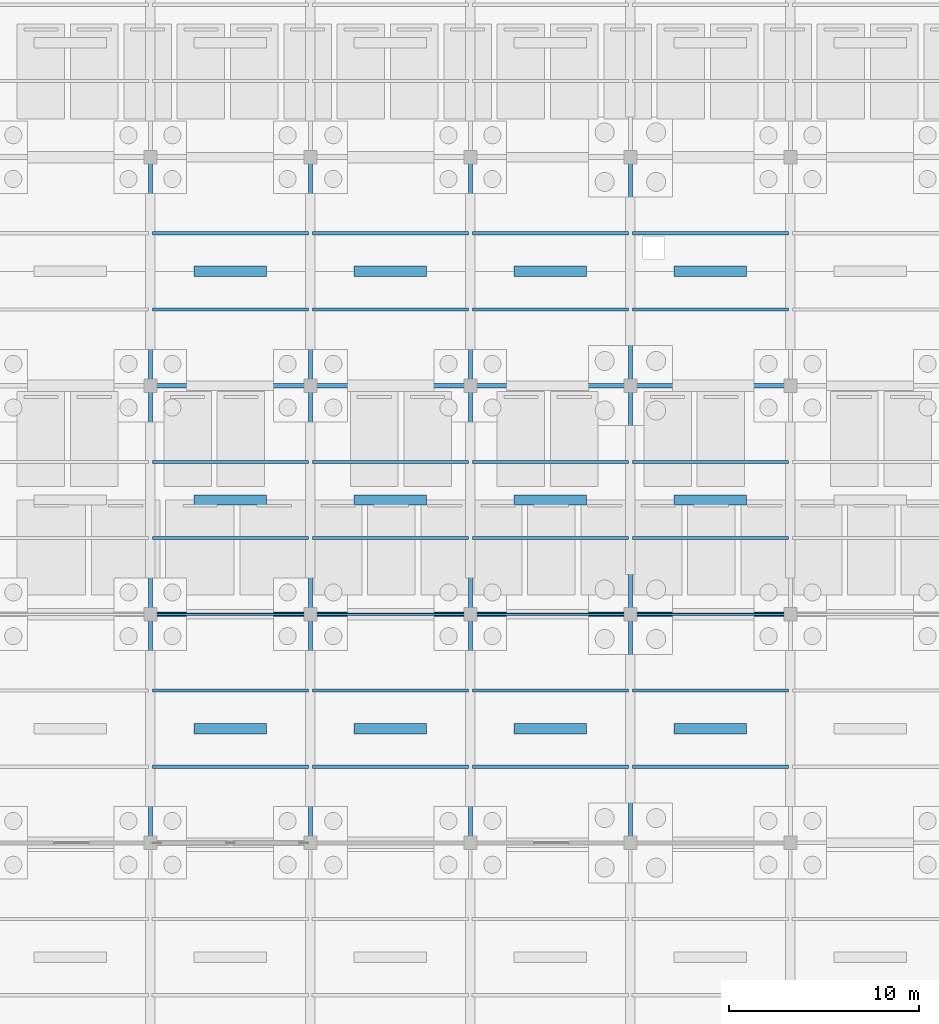
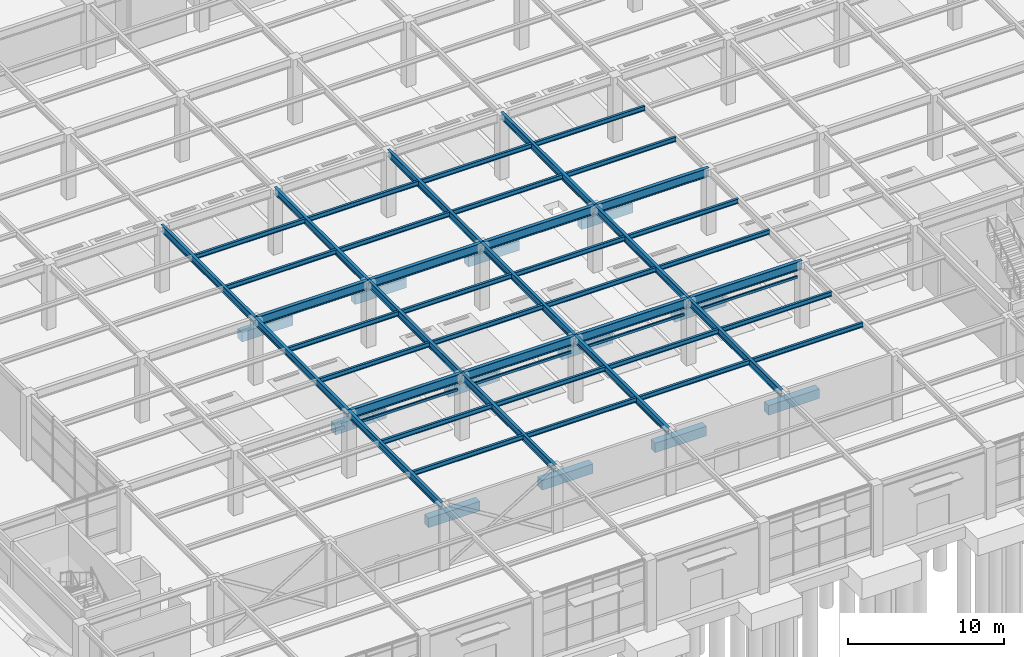
# One storey, part 51 of 129: 60 beams.
"""IFC4 building model written with IfcOpenShell, lengths in metres."""

from ifc_helpers import new_model, si_unit, direction, frame, origin, origin_2d, place, context, subcontext, project, spatial, rectangle, hollow_rectangle, i_section, extrude, material, material_profile, profile_set, type_object, element, save


model = new_model("IFC4")

# Units and contexts
model_context = context("Model", 3, precision=1e-05, world=origin(), true_north=direction((0.0, 1.0)))
body_context = subcontext(model_context, "Body", "Model", "MODEL_VIEW")
ifc_project = project(units=[si_unit("LENGTHUNIT", "METRE"), si_unit("AREAUNIT", "SQUARE_METRE"), si_unit("VOLUMEUNIT", "CUBIC_METRE"), si_unit("PLANEANGLEUNIT", "RADIAN"), si_unit("MASSUNIT", "GRAM", prefix="KILO")], contexts=[model_context])

# Site, building, storey
site_placement = place(None, origin())
site = spatial("IfcSite", under=ifc_project, at=site_placement, CompositionType="ELEMENT")
building_placement = place(site_placement, origin())
building = spatial("IfcBuilding", under=site, at=building_placement, Name="Sitalva Quay Ferry Terminal", CompositionType="ELEMENT")
storey_placement = place(building_placement, origin())
storey = spatial("IfcBuildingStorey", under=building, at=storey_placement, Name="L01", CompositionType="ELEMENT", Elevation=0.0)

# Beams
ifc_material_1 = material(Name="Structural Steel S355JR", Category="steel")
ifc_material_profile_1 = material_profile(ifc_material_1, i_section(OverallWidth=0.2119140625, OverallDepth=0.5439453125, WebThickness=0.01318359375, FlangeThickness=0.021240234375, FilletRadius=0.014892578125, at=origin_2d()), Name="W530x123")
ifc_profile_set_1 = profile_set([ifc_material_profile_1], Name="Structural Steel S355JR")
beam_type_1 = type_object("IfcBeamType", Name="Girder_W530x123", PredefinedType="USERDEFINED", material=ifc_profile_set_1)
for number, where, z_axis, x_axis, name in (
    (1, (100.800048828125, 18.0, 4.80810546875), (0.0, 1.0, 0.0), (-1.0, 0.0, 0.0), "L01 Primary Y girder 0295"),
    (2, (100.800048828125, 30.0, 4.80810546875), (0.0, 1.0, 0.0), (-1.0, 0.0, 0.0), "L01 Primary Y girder 0296"),
    (3, (100.800048828125, 42.0, 4.80810546875), (0.0, 1.0, 0.0), (-1.0, 0.0, 0.0), "L01 Primary Y girder 0297"),
    (4, (109.199951171875, 18.0, 4.80810546875), (0.0, 1.0, 0.0), (-1.0, 0.0, 0.0), "L01 Primary Y girder 0300"),
    (5, (109.199951171875, 30.0, 4.80810546875), (0.0, 1.0, 0.0), (-1.0, 0.0, 0.0), "L01 Primary Y girder 0301"),
    (6, (109.199951171875, 42.0, 4.80810546875), (0.0, 1.0, 0.0), (-1.0, 0.0, 0.0), "L01 Primary Y girder 0302"),
    (7, (117.60009765625, 18.0, 4.80810546875), (0.0, 1.0, 0.0), (-1.0, 0.0, 0.0), "L01 Primary Y girder 0305"),
    (8, (117.60009765625, 30.0, 4.80810546875), (0.0, 1.0, 0.0), (-1.0, 0.0, 0.0), "L01 Primary Y girder 0306"),
    (9, (117.60009765625, 42.0, 4.80810546875), (0.0, 1.0, 0.0), (-1.0, 0.0, 0.0), "L01 Primary Y girder 0307"),
    (10, (126.0, 18.0, 4.80810546875), (0.0, 1.0, 0.0), (-1.0, 0.0, 0.0), "L01 Primary Y girder 0310"),
    (11, (126.0, 30.0, 4.80810546875), (0.0, 1.0, 0.0), (-1.0, 0.0, 0.0), "L01 Primary Y girder 0311"),
    (12, (126.0, 42.0, 4.80810546875), (0.0, 1.0, 0.0), (-1.0, 0.0, 0.0), "L01 Primary Y girder 0312"),
):
    element("IfcBeam", number, at=place(storey_placement, frame(where, z_axis=z_axis, x_axis=x_axis)), inside=storey, type_object=beam_type_1, Name=name, ObjectType="GIRDER", PredefinedType="USERDEFINED", context=body_context, shape_type="SweptSolid", body=[
        extrude(i_section(OverallWidth=0.2119140625, OverallDepth=0.5439453125, WebThickness=0.01318359375, FlangeThickness=0.021240234375, FilletRadius=0.014892578125, at=origin_2d()), origin(), (0.0, 0.0, 1.0), 12.0),
    ])
ifc_material_2 = material(Name="Structural Steel S355JR", Category="steel")
ifc_material_profile_2 = material_profile(ifc_material_2, i_section(OverallWidth=0.256103515625, OverallDepth=0.693115234375, WebThickness=0.014404296875, FlangeThickness=0.023681640625, FilletRadius=0.01806640625, at=origin_2d()), Name="W690x170")
ifc_profile_set_2 = profile_set([ifc_material_profile_2], Name="Structural Steel S355JR")
beam_type_2 = type_object("IfcBeamType", Name="Girder_W690x170", PredefinedType="USERDEFINED", material=ifc_profile_set_2)
beam_1_placement = place(storey_placement, frame((100.800048828125, 30.0, 4.7333984375), z_axis=(1.0, 0.0, 0.0), x_axis=(0.0, 1.0, 0.0)))
element("IfcBeam", 13, at=beam_1_placement, inside=storey, type_object=beam_type_2, Name="L01 Primary X girder 0239", ObjectType="GIRDER", PredefinedType="USERDEFINED", context=body_context, shape_type="SweptSolid", body=[
    extrude(i_section(OverallWidth=0.256103515625, OverallDepth=0.693115234375, WebThickness=0.014404296875, FlangeThickness=0.023681640625, FilletRadius=0.01806640625, at=origin_2d()), origin(), (0.0, 0.0, 1.0), 8.39990234375),
])
beam_2_placement = place(storey_placement, frame((109.199951171875, 30.0, 4.7333984375), z_axis=(1.0, 0.0, 0.0), x_axis=(0.0, 1.0, 0.0)))
element("IfcBeam", 14, at=beam_2_placement, inside=storey, type_object=beam_type_2, Name="L01 Primary X girder 0240", ObjectType="GIRDER", PredefinedType="USERDEFINED", context=body_context, shape_type="SweptSolid", body=[
    extrude(i_section(OverallWidth=0.256103515625, OverallDepth=0.693115234375, WebThickness=0.014404296875, FlangeThickness=0.023681640625, FilletRadius=0.01806640625, at=origin_2d()), origin(), (0.0, 0.0, 1.0), 8.400146484375),
])
for number, where, z_axis, x_axis, name in (
    (15, (117.60009765625, 30.0, 4.7333984375), (1.0, 0.0, 0.0), (0.0, 1.0, 0.0), "L01 Primary X girder 0241"),
    (16, (126.0, 30.0, 4.7333984375), (1.0, 0.0, 0.0), (0.0, 1.0, 0.0), "L01 Primary X girder 0242"),
    (17, (100.800048828125, 42.0, 4.7333984375), (1.0, 0.0, 0.0), (0.0, 1.0, 0.0), "L01 Primary X girder 0249"),
):
    element("IfcBeam", number, at=place(storey_placement, frame(where, z_axis=z_axis, x_axis=x_axis)), inside=storey, type_object=beam_type_2, Name=name, ObjectType="GIRDER", PredefinedType="USERDEFINED", context=body_context, shape_type="SweptSolid", body=[
        extrude(i_section(OverallWidth=0.256103515625, OverallDepth=0.693115234375, WebThickness=0.014404296875, FlangeThickness=0.023681640625, FilletRadius=0.01806640625, at=origin_2d()), origin(), (0.0, 0.0, 1.0), 8.39990234375),
    ])
beam_3_placement = place(storey_placement, frame((109.199951171875, 42.0, 4.7333984375), z_axis=(1.0, 0.0, 0.0), x_axis=(0.0, 1.0, 0.0)))
element("IfcBeam", 18, at=beam_3_placement, inside=storey, type_object=beam_type_2, Name="L01 Primary X girder 0250", ObjectType="GIRDER", PredefinedType="USERDEFINED", context=body_context, shape_type="SweptSolid", body=[
    extrude(i_section(OverallWidth=0.256103515625, OverallDepth=0.693115234375, WebThickness=0.014404296875, FlangeThickness=0.023681640625, FilletRadius=0.01806640625, at=origin_2d()), origin(), (0.0, 0.0, 1.0), 8.400146484375),
])
for number, where, z_axis, x_axis, name in (
    (19, (117.60009765625, 42.0, 4.7333984375), (1.0, 0.0, 0.0), (0.0, 1.0, 0.0), "L01 Primary X girder 0251"),
    (20, (126.0, 42.0, 4.7333984375), (1.0, 0.0, 0.0), (0.0, 1.0, 0.0), "L01 Primary X girder 0252"),
):
    element("IfcBeam", number, at=place(storey_placement, frame(where, z_axis=z_axis, x_axis=x_axis)), inside=storey, type_object=beam_type_2, Name=name, ObjectType="GIRDER", PredefinedType="USERDEFINED", context=body_context, shape_type="SweptSolid", body=[
        extrude(i_section(OverallWidth=0.256103515625, OverallDepth=0.693115234375, WebThickness=0.014404296875, FlangeThickness=0.023681640625, FilletRadius=0.01806640625, at=origin_2d()), origin(), (0.0, 0.0, 1.0), 8.39990234375),
    ])
ifc_material_3 = material(Name="Structural Steel S355JR", Category="steel")
ifc_material_profile_3 = material_profile(ifc_material_3, i_section(OverallWidth=0.172119140625, OverallDepth=0.35791015625, WebThickness=0.0078125, FlangeThickness=0.01318359375, FilletRadius=0.011962890625, at=origin_2d()), Name="W360x57")
ifc_profile_set_3 = profile_set([ifc_material_profile_3], Name="Structural Steel S355JR")
beam_type_3 = type_object("IfcBeamType", Name="Joist_W360x57", PredefinedType="JOIST", material=ifc_profile_set_3)
beam_4_placement = place(storey_placement, frame((100.89990234375, 22.0, 4.90087890625), z_axis=(1.0, 0.0, 0.0), x_axis=(0.0, 1.0, 0.0)))
element("IfcBeam", 21, at=beam_4_placement, inside=storey, type_object=beam_type_3, Name="L01 Secondary joist 0342", PredefinedType="JOIST", context=body_context, shape_type="SweptSolid", body=[
    extrude(i_section(OverallWidth=0.172119140625, OverallDepth=0.35791015625, WebThickness=0.0078125, FlangeThickness=0.01318359375, FilletRadius=0.011962890625, at=origin_2d()), origin(), (0.0, 0.0, 1.0), 8.2001953125),
])
for number, where, z_axis, x_axis, name in (
    (22, (109.300048828125, 22.0, 4.90087890625), (1.0, 0.0, 0.0), (0.0, 1.0, 0.0), "L01 Secondary joist 0343"),
    (23, (117.699951171875, 22.0, 4.90087890625), (1.0, 0.0, 0.0), (0.0, 1.0, 0.0), "L01 Secondary joist 0344"),
    (24, (126.10009765625, 22.0, 4.90087890625), (1.0, 0.0, 0.0), (0.0, 1.0, 0.0), "L01 Secondary joist 0345"),
):
    element("IfcBeam", number, at=place(storey_placement, frame(where, z_axis=z_axis, x_axis=x_axis)), inside=storey, type_object=beam_type_3, Name=name, PredefinedType="JOIST", context=body_context, shape_type="SweptSolid", body=[
        extrude(i_section(OverallWidth=0.172119140625, OverallDepth=0.35791015625, WebThickness=0.0078125, FlangeThickness=0.01318359375, FilletRadius=0.011962890625, at=origin_2d()), origin(), (0.0, 0.0, 1.0), 8.199951171875),
    ])
beam_5_placement = place(storey_placement, frame((100.89990234375, 26.0, 4.90087890625), z_axis=(1.0, 0.0, 0.0), x_axis=(0.0, 1.0, 0.0)))
element("IfcBeam", 25, at=beam_5_placement, inside=storey, type_object=beam_type_3, Name="L01 Secondary joist 0351", PredefinedType="JOIST", context=body_context, shape_type="SweptSolid", body=[
    extrude(i_section(OverallWidth=0.172119140625, OverallDepth=0.35791015625, WebThickness=0.0078125, FlangeThickness=0.01318359375, FilletRadius=0.011962890625, at=origin_2d()), origin(), (0.0, 0.0, 1.0), 8.2001953125),
])
for number, where, z_axis, x_axis, name in (
    (26, (109.300048828125, 26.0, 4.90087890625), (1.0, 0.0, 0.0), (0.0, 1.0, 0.0), "L01 Secondary joist 0352"),
    (27, (117.699951171875, 26.0, 4.90087890625), (1.0, 0.0, 0.0), (0.0, 1.0, 0.0), "L01 Secondary joist 0353"),
    (28, (126.10009765625, 26.0, 4.90087890625), (1.0, 0.0, 0.0), (0.0, 1.0, 0.0), "L01 Secondary joist 0354"),
):
    element("IfcBeam", number, at=place(storey_placement, frame(where, z_axis=z_axis, x_axis=x_axis)), inside=storey, type_object=beam_type_3, Name=name, PredefinedType="JOIST", context=body_context, shape_type="SweptSolid", body=[
        extrude(i_section(OverallWidth=0.172119140625, OverallDepth=0.35791015625, WebThickness=0.0078125, FlangeThickness=0.01318359375, FilletRadius=0.011962890625, at=origin_2d()), origin(), (0.0, 0.0, 1.0), 8.199951171875),
    ])
beam_6_placement = place(storey_placement, frame((100.89990234375, 34.0, 4.90087890625), z_axis=(1.0, 0.0, 0.0), x_axis=(0.0, 1.0, 0.0)))
element("IfcBeam", 29, at=beam_6_placement, inside=storey, type_object=beam_type_3, Name="L01 Secondary joist 0360", PredefinedType="JOIST", context=body_context, shape_type="SweptSolid", body=[
    extrude(i_section(OverallWidth=0.172119140625, OverallDepth=0.35791015625, WebThickness=0.0078125, FlangeThickness=0.01318359375, FilletRadius=0.011962890625, at=origin_2d()), origin(), (0.0, 0.0, 1.0), 8.2001953125),
])
for number, where, z_axis, x_axis, name in (
    (30, (109.300048828125, 34.0, 4.90087890625), (1.0, 0.0, 0.0), (0.0, 1.0, 0.0), "L01 Secondary joist 0361"),
    (31, (117.699951171875, 34.0, 4.90087890625), (1.0, 0.0, 0.0), (0.0, 1.0, 0.0), "L01 Secondary joist 0362"),
    (32, (126.10009765625, 34.0, 4.90087890625), (1.0, 0.0, 0.0), (0.0, 1.0, 0.0), "L01 Secondary joist 0363"),
):
    element("IfcBeam", number, at=place(storey_placement, frame(where, z_axis=z_axis, x_axis=x_axis)), inside=storey, type_object=beam_type_3, Name=name, PredefinedType="JOIST", context=body_context, shape_type="SweptSolid", body=[
        extrude(i_section(OverallWidth=0.172119140625, OverallDepth=0.35791015625, WebThickness=0.0078125, FlangeThickness=0.01318359375, FilletRadius=0.011962890625, at=origin_2d()), origin(), (0.0, 0.0, 1.0), 8.199951171875),
    ])
beam_7_placement = place(storey_placement, frame((100.89990234375, 38.0, 4.90087890625), z_axis=(1.0, 0.0, 0.0), x_axis=(0.0, 1.0, 0.0)))
element("IfcBeam", 33, at=beam_7_placement, inside=storey, type_object=beam_type_3, Name="L01 Secondary joist 0370", PredefinedType="JOIST", context=body_context, shape_type="SweptSolid", body=[
    extrude(i_section(OverallWidth=0.172119140625, OverallDepth=0.35791015625, WebThickness=0.0078125, FlangeThickness=0.01318359375, FilletRadius=0.011962890625, at=origin_2d()), origin(), (0.0, 0.0, 1.0), 8.2001953125),
])
for number, where, z_axis, x_axis, name in (
    (34, (109.300048828125, 38.0, 4.90087890625), (1.0, 0.0, 0.0), (0.0, 1.0, 0.0), "L01 Secondary joist 0371"),
    (35, (117.699951171875, 38.0, 4.90087890625), (1.0, 0.0, 0.0), (0.0, 1.0, 0.0), "L01 Secondary joist 0372"),
    (36, (126.10009765625, 38.0, 4.90087890625), (1.0, 0.0, 0.0), (0.0, 1.0, 0.0), "L01 Secondary joist 0373"),
):
    element("IfcBeam", number, at=place(storey_placement, frame(where, z_axis=z_axis, x_axis=x_axis)), inside=storey, type_object=beam_type_3, Name=name, PredefinedType="JOIST", context=body_context, shape_type="SweptSolid", body=[
        extrude(i_section(OverallWidth=0.172119140625, OverallDepth=0.35791015625, WebThickness=0.0078125, FlangeThickness=0.01318359375, FilletRadius=0.011962890625, at=origin_2d()), origin(), (0.0, 0.0, 1.0), 8.199951171875),
    ])
beam_8_placement = place(storey_placement, frame((100.89990234375, 46.0, 4.90087890625), z_axis=(1.0, 0.0, 0.0), x_axis=(0.0, 1.0, 0.0)))
element("IfcBeam", 37, at=beam_8_placement, inside=storey, type_object=beam_type_3, Name="L01 Secondary joist 0380", PredefinedType="JOIST", context=body_context, shape_type="SweptSolid", body=[
    extrude(i_section(OverallWidth=0.172119140625, OverallDepth=0.35791015625, WebThickness=0.0078125, FlangeThickness=0.01318359375, FilletRadius=0.011962890625, at=origin_2d()), origin(), (0.0, 0.0, 1.0), 8.2001953125),
])
for number, where, z_axis, x_axis, name in (
    (38, (109.300048828125, 46.0, 4.90087890625), (1.0, 0.0, 0.0), (0.0, 1.0, 0.0), "L01 Secondary joist 0381"),
    (39, (117.699951171875, 46.0, 4.90087890625), (1.0, 0.0, 0.0), (0.0, 1.0, 0.0), "L01 Secondary joist 0382"),
    (40, (126.10009765625, 46.0, 4.90087890625), (1.0, 0.0, 0.0), (0.0, 1.0, 0.0), "L01 Secondary joist 0383"),
):
    element("IfcBeam", number, at=place(storey_placement, frame(where, z_axis=z_axis, x_axis=x_axis)), inside=storey, type_object=beam_type_3, Name=name, PredefinedType="JOIST", context=body_context, shape_type="SweptSolid", body=[
        extrude(i_section(OverallWidth=0.172119140625, OverallDepth=0.35791015625, WebThickness=0.0078125, FlangeThickness=0.01318359375, FilletRadius=0.011962890625, at=origin_2d()), origin(), (0.0, 0.0, 1.0), 8.199951171875),
    ])
beam_9_placement = place(storey_placement, frame((100.89990234375, 50.0, 4.90087890625), z_axis=(1.0, 0.0, 0.0), x_axis=(0.0, 1.0, 0.0)))
element("IfcBeam", 41, at=beam_9_placement, inside=storey, type_object=beam_type_3, Name="L01 Secondary joist 0390", PredefinedType="JOIST", context=body_context, shape_type="SweptSolid", body=[
    extrude(i_section(OverallWidth=0.172119140625, OverallDepth=0.35791015625, WebThickness=0.0078125, FlangeThickness=0.01318359375, FilletRadius=0.011962890625, at=origin_2d()), origin(), (0.0, 0.0, 1.0), 8.2001953125),
])
for number, where, z_axis, x_axis, name in (
    (42, (109.300048828125, 50.0, 4.90087890625), (1.0, 0.0, 0.0), (0.0, 1.0, 0.0), "L01 Secondary joist 0391"),
    (43, (117.699951171875, 50.0, 4.90087890625), (1.0, 0.0, 0.0), (0.0, 1.0, 0.0), "L01 Secondary joist 0392"),
    (44, (126.10009765625, 50.0, 4.90087890625), (1.0, 0.0, 0.0), (0.0, 1.0, 0.0), "L01 Secondary joist 0393"),
):
    element("IfcBeam", number, at=place(storey_placement, frame(where, z_axis=z_axis, x_axis=x_axis)), inside=storey, type_object=beam_type_3, Name=name, PredefinedType="JOIST", context=body_context, shape_type="SweptSolid", body=[
        extrude(i_section(OverallWidth=0.172119140625, OverallDepth=0.35791015625, WebThickness=0.0078125, FlangeThickness=0.01318359375, FilletRadius=0.011962890625, at=origin_2d()), origin(), (0.0, 0.0, 1.0), 8.199951171875),
    ])
ifc_material_4 = material(Name="Structural Steel S355JR", Category="steel")
ifc_material_profile_4 = material_profile(ifc_material_4, hollow_rectangle(XDim=0.1201171875, YDim=0.199951171875, WallThickness=0.008056640625, InnerFilletRadius=0.008056640625, OuterFilletRadius=0.01611328125, at=origin_2d()), Name="RHS200x120x8")
ifc_profile_set_4 = profile_set([ifc_material_profile_4], Name="Structural Steel S355JR")
beam_type_4 = type_object("IfcBeamType", Name="Lintel_RHS200x120", PredefinedType="LINTEL", material=ifc_profile_set_4)
beam_10_placement = place(storey_placement, frame((101.1201171875, 30.0, 3.85009765625), z_axis=(1.0, 0.0, 0.0), x_axis=(0.0, 1.0, 0.0)))
element("IfcBeam", 45, at=beam_10_placement, inside=storey, type_object=beam_type_4, Name="Ro-Ro clearance portal lintel 02", PredefinedType="LINTEL", context=body_context, shape_type="SweptSolid", body=[
    extrude(hollow_rectangle(XDim=0.1201171875, YDim=0.199951171875, WallThickness=0.008056640625, InnerFilletRadius=0.008056640625, OuterFilletRadius=0.01611328125, at=origin_2d()), origin(), (0.0, 0.0, 1.0), 7.759765625),
])
for number, where, z_axis, x_axis, name in (
    (46, (109.52001953125, 30.0, 3.85009765625), (1.0, 0.0, 0.0), (0.0, 1.0, 0.0), "Ro-Ro clearance portal lintel 03"),
    (47, (117.919921875, 30.0, 3.85009765625), (1.0, 0.0, 0.0), (0.0, 1.0, 0.0), "Ro-Ro clearance portal lintel 04"),
    (48, (126.320068359375, 30.0, 3.85009765625), (1.0, 0.0, 0.0), (0.0, 1.0, 0.0), "Ro-Ro clearance portal lintel 05"),
):
    element("IfcBeam", number, at=place(storey_placement, frame(where, z_axis=z_axis, x_axis=x_axis)), inside=storey, type_object=beam_type_4, Name=name, PredefinedType="LINTEL", context=body_context, shape_type="SweptSolid", body=[
        extrude(hollow_rectangle(XDim=0.1201171875, YDim=0.199951171875, WallThickness=0.008056640625, InnerFilletRadius=0.008056640625, OuterFilletRadius=0.01611328125, at=origin_2d()), origin(), (0.0, 0.0, 1.0), 7.760009765625),
    ])
ifc_material_5 = material(Name="Concrete C35/45", Category="concrete")
ifc_material_profile_5 = material_profile(ifc_material_5, rectangle(XDim=0.550048828125, YDim=0.75, at=origin_2d()), Name="RC550x750")
ifc_profile_set_5 = profile_set([ifc_material_profile_5], Name="Concrete C35/45")
beam_type_5 = type_object("IfcBeamType", Name="TBeam_Quay_RC550x750", PredefinedType="T_BEAM", material=ifc_profile_set_5)
beam_11_placement = place(storey_placement, frame((103.10009765625, 24.0, -0.824951171875), z_axis=(1.0, 0.0, 0.0), x_axis=(0.0, 1.0, 0.0)))
element("IfcBeam", 49, at=beam_11_placement, inside=storey, type_object=beam_type_5, Name="L01 Ro-Ro quay deck T-beam 0053", PredefinedType="T_BEAM", context=body_context, shape_type="SweptSolid", body=[
    extrude(rectangle(XDim=0.550048828125, YDim=0.75, at=origin_2d()), origin(), (0.0, 0.0, 1.0), 3.7998046875),
])
for number, where, z_axis, x_axis, name in (
    (50, (111.5, 24.0, -0.824951171875), (1.0, 0.0, 0.0), (0.0, 1.0, 0.0), "L01 Ro-Ro quay deck T-beam 0054"),
    (51, (119.89990234375, 24.0, -0.824951171875), (1.0, 0.0, 0.0), (0.0, 1.0, 0.0), "L01 Ro-Ro quay deck T-beam 0055"),
    (52, (128.300048828125, 24.0, -0.824951171875), (1.0, 0.0, 0.0), (0.0, 1.0, 0.0), "L01 Ro-Ro quay deck T-beam 0056"),
):
    element("IfcBeam", number, at=place(storey_placement, frame(where, z_axis=z_axis, x_axis=x_axis)), inside=storey, type_object=beam_type_5, Name=name, PredefinedType="T_BEAM", context=body_context, shape_type="SweptSolid", body=[
        extrude(rectangle(XDim=0.550048828125, YDim=0.75, at=origin_2d()), origin(), (0.0, 0.0, 1.0), 3.800048828125),
    ])
beam_12_placement = place(storey_placement, frame((103.10009765625, 36.0, -0.824951171875), z_axis=(1.0, 0.0, 0.0), x_axis=(0.0, 1.0, 0.0)))
element("IfcBeam", 53, at=beam_12_placement, inside=storey, type_object=beam_type_5, Name="L01 Ro-Ro quay deck T-beam 0065", PredefinedType="T_BEAM", context=body_context, shape_type="SweptSolid", body=[
    extrude(rectangle(XDim=0.550048828125, YDim=0.75, at=origin_2d()), origin(), (0.0, 0.0, 1.0), 3.7998046875),
])
for number, where, z_axis, x_axis, name in (
    (54, (111.5, 36.0, -0.824951171875), (1.0, 0.0, 0.0), (0.0, 1.0, 0.0), "L01 Ro-Ro quay deck T-beam 0066"),
    (55, (119.89990234375, 36.0, -0.824951171875), (1.0, 0.0, 0.0), (0.0, 1.0, 0.0), "L01 Ro-Ro quay deck T-beam 0067"),
    (56, (128.300048828125, 36.0, -0.824951171875), (1.0, 0.0, 0.0), (0.0, 1.0, 0.0), "L01 Ro-Ro quay deck T-beam 0068"),
):
    element("IfcBeam", number, at=place(storey_placement, frame(where, z_axis=z_axis, x_axis=x_axis)), inside=storey, type_object=beam_type_5, Name=name, PredefinedType="T_BEAM", context=body_context, shape_type="SweptSolid", body=[
        extrude(rectangle(XDim=0.550048828125, YDim=0.75, at=origin_2d()), origin(), (0.0, 0.0, 1.0), 3.800048828125),
    ])
beam_13_placement = place(storey_placement, frame((103.10009765625, 48.0, -0.824951171875), z_axis=(1.0, 0.0, 0.0), x_axis=(0.0, 1.0, 0.0)))
element("IfcBeam", 57, at=beam_13_placement, inside=storey, type_object=beam_type_5, Name="L01 Ro-Ro quay deck T-beam 0078", PredefinedType="T_BEAM", context=body_context, shape_type="SweptSolid", body=[
    extrude(rectangle(XDim=0.550048828125, YDim=0.75, at=origin_2d()), origin(), (0.0, 0.0, 1.0), 3.7998046875),
])
for number, where, z_axis, x_axis, name in (
    (58, (111.5, 48.0, -0.824951171875), (1.0, 0.0, 0.0), (0.0, 1.0, 0.0), "L01 Ro-Ro quay deck T-beam 0079"),
    (59, (119.89990234375, 48.0, -0.824951171875), (1.0, 0.0, 0.0), (0.0, 1.0, 0.0), "L01 Ro-Ro quay deck T-beam 0080"),
    (60, (128.300048828125, 48.0, -0.824951171875), (1.0, 0.0, 0.0), (0.0, 1.0, 0.0), "L01 Ro-Ro quay deck T-beam 0081"),
):
    element("IfcBeam", number, at=place(storey_placement, frame(where, z_axis=z_axis, x_axis=x_axis)), inside=storey, type_object=beam_type_5, Name=name, PredefinedType="T_BEAM", context=body_context, shape_type="SweptSolid", body=[
        extrude(rectangle(XDim=0.550048828125, YDim=0.75, at=origin_2d()), origin(), (0.0, 0.0, 1.0), 3.800048828125),
    ])

save(model, "model.ifc")
